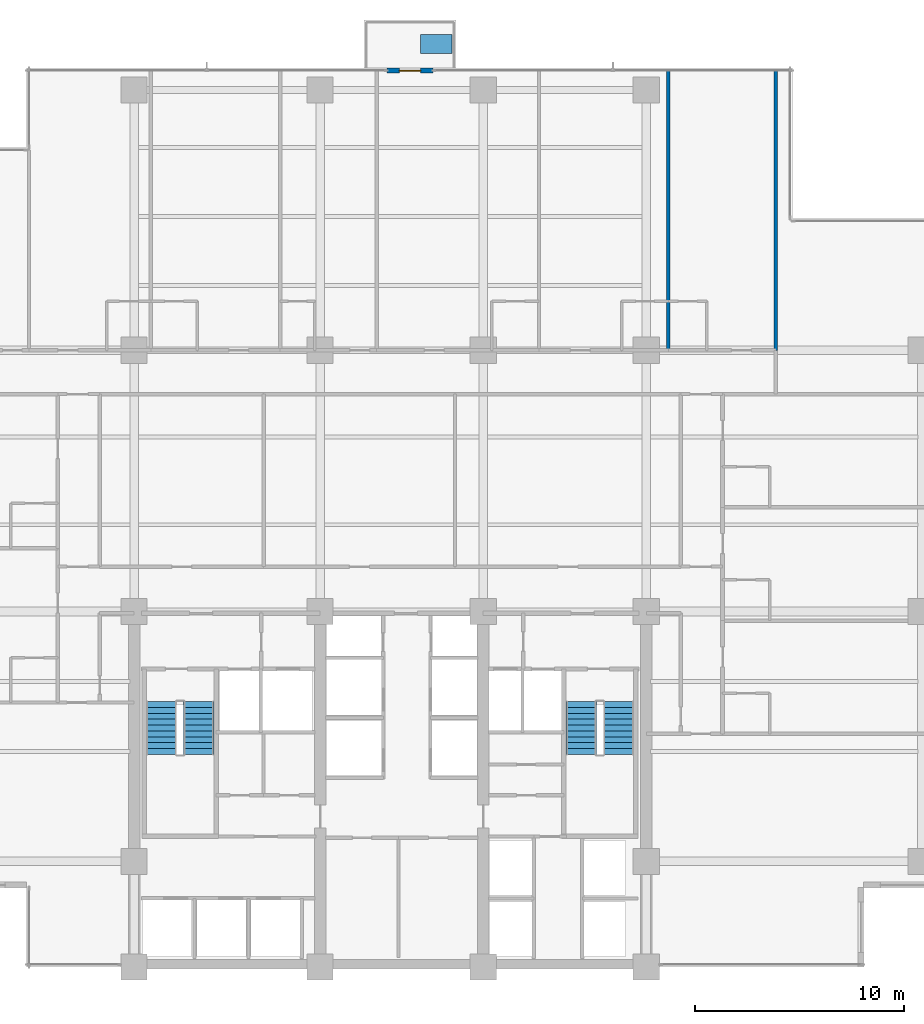
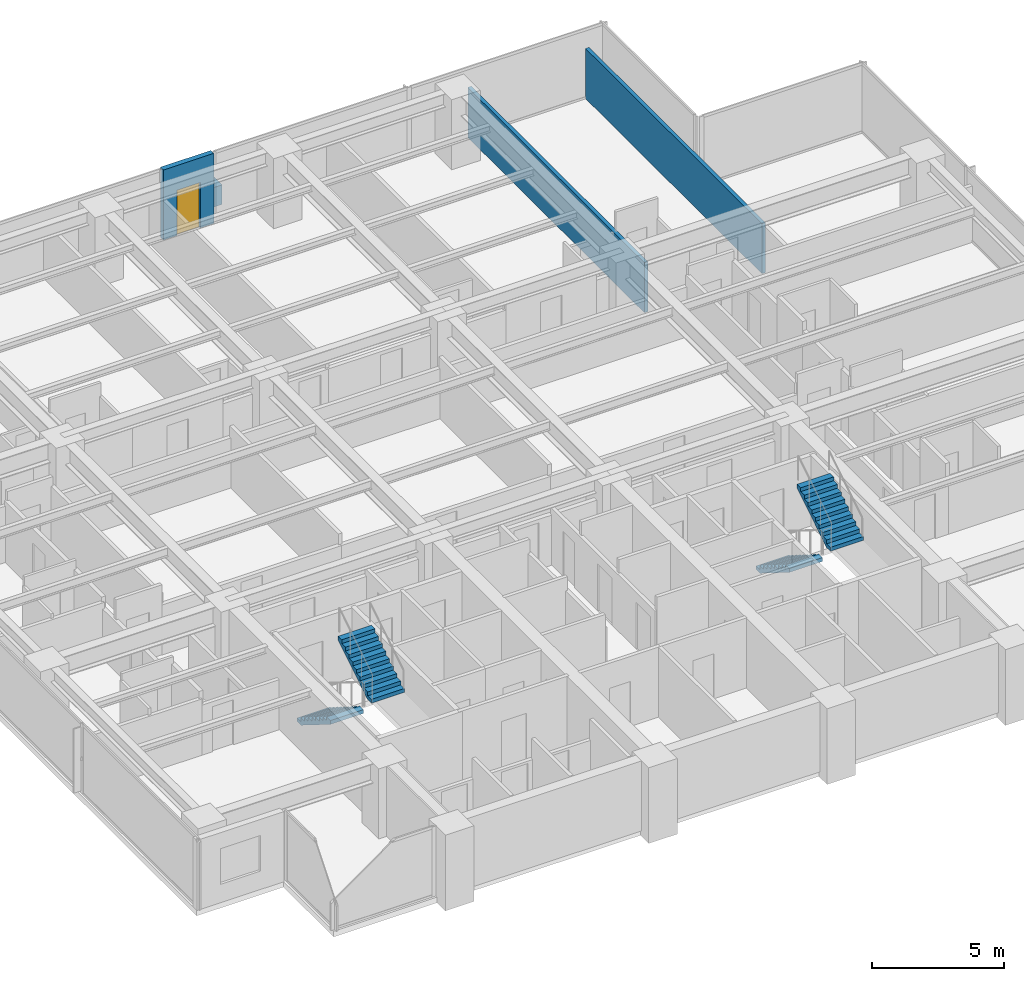
# One storey, part 12 of 17: 4 stair flights, 3 walls, 1 discrete accessory, 1 door, 1 opening, 2 elements without a shape of their own.
"""IFC4 building model written with IfcOpenShell, lengths in metres."""

from ifc_helpers import new_model, si_unit, direction, frame, frame_2d, origin, place, context, subcontext, project, spatial, polyline, rectangle, outline, extrude, material, layer, layer_set, type_object, element, fill, aggregate, save


model = new_model("IFC4")

# Units and contexts
model_context = context("Model", 3, precision=1e-05, world=origin(), true_north=direction((0.0, 1.0)))
body_context = subcontext(model_context, "Body", "Model", "MODEL_VIEW")
ifc_project = project(units=[si_unit("LENGTHUNIT", "METRE"), si_unit("AREAUNIT", "SQUARE_METRE"), si_unit("VOLUMEUNIT", "CUBIC_METRE"), si_unit("PLANEANGLEUNIT", "RADIAN"), si_unit("MASSUNIT", "GRAM", prefix="KILO")], contexts=[model_context])

# Site, building, storey
site_placement = place(None, origin())
site = spatial("IfcSite", under=ifc_project, at=site_placement, CompositionType="ELEMENT")
building_placement = place(site_placement, origin())
building = spatial("IfcBuilding", under=site, at=building_placement, Name="Qalmaran Belvedere Hotel", CompositionType="ELEMENT")
storey_placement = place(building_placement, frame((0.0, 0.0, 109.199951171875)))
storey = spatial("IfcBuildingStorey", under=building, at=storey_placement, Name="L27", CompositionType="ELEMENT", Elevation=109.199951171875)

# Wall, opening, door
ifc_material_1 = material(Name="Anodised Bronze Cladding")
ifc_layer_1 = layer(ifc_material_1, 0.22509765625, Name="Anodised Bronze Cladding")
ifc_layer_set_1 = layer_set([ifc_layer_1], Name="Anodised Bronze Cladding")
wall_type_1 = type_object("IfcWallType", Name="WL-BAL-PORT-225", PredefinedType="SOLIDWALL", material=ifc_layer_set_1)
wall_placement = place(storey_placement, frame((32.39990234375, 46.3798828125, 0.0), z_axis=(0.0, 0.0, 1.0), x_axis=(1.0, 0.0, 0.0)))
wall = element("IfcWall", 1, at=wall_placement, inside=storey, type_object=wall_type_1, Name="L27 Tree Balcony Door Portal", PredefinedType="SOLIDWALL", context=body_context, shape_type="SweptSolid", body=[
    extrude(rectangle(XDim=2.2001953125, YDim=0.22509765625, at=frame_2d((1.10009765625, 0.0))), origin(), (0.0, 0.0, 1.0), 3.239990234375),
])
opening_placement = place(wall_placement, frame((0.590087890625, 0.0, 0.0)))
opening = element("IfcOpeningElement", 2, at=opening_placement, cuts=wall, Name="Opening BL-102", PredefinedType="OPENING", context=body_context, shape_type="SweptSolid", body=[
    extrude(rectangle(XDim=1.02001953125, YDim=2.10009765625, at=frame_2d((0.510009765625, 1.050048828125))), frame((0.0, 0.12255859375, 0.0), z_axis=(0.0, -1.0, 0.0), x_axis=(1.0, 0.0, 0.0)), (0.0, 0.0, 1.0), 0.2451171875),
])
ifc_material_2 = material(Name="Anodised Bronze Aluminium", Category="aluminium")
door_type = type_object("IfcDoorType", Name="DR-BAL-1020X2100", OperationType="NOTDEFINED", PredefinedType="DOOR", material=ifc_material_2)
door_placement = place(opening_placement, origin())
door = element("IfcDoor", 3, at=door_placement, inside=storey, type_object=door_type, Name="L27 Planted Tree Balcony Door", OperationType="SINGLE_SWING_RIGHT", OverallHeight=2.10009765625, OverallWidth=1.02001953125, PredefinedType="DOOR", context=body_context, shape_type="SweptSolid", body=[
    extrude(rectangle(XDim=1.02001953125, YDim=2.10009765625, at=frame_2d((0.510009765625, 1.050048828125))), frame((0.0, 0.02490234375, 0.0), z_axis=(0.0, -1.0, 0.0), x_axis=(1.0, 0.0, 0.0)), (0.0, 0.0, 1.0), 0.050048828125),
])
fill(opening, door)

# Walls
ifc_material_3 = material(Name="Gypsum Stud Partition")
ifc_layer_2 = layer(ifc_material_3, 0.159912109375, Name="Gypsum Stud Partition")
ifc_layer_set_2 = layer_set([ifc_layer_2], Name="Gypsum Stud Partition")
wall_type_2 = type_object("IfcWallType", Name="WL-INT-160-EI60", PredefinedType="PARTITIONING", material=ifc_layer_set_2)
for number, where, z_axis, x_axis, name in (
    (4, (45.8544921875, 33.0, 0.0), (0.0, 0.0, 1.0), (0.0, 1.0, 0.0), "L27 Partition WL-L27-NUR04"),
    (5, (51.0, 33.0, 0.0), (0.0, 0.0, 1.0), (0.0, 1.0, 0.0), "L27 Partition WL-L27-NUR05"),
):
    element("IfcWall", number, at=place(storey_placement, frame(where, z_axis=z_axis, x_axis=x_axis)), inside=storey, type_object=wall_type_2, Name=name, PredefinedType="PARTITIONING", context=body_context, shape_type="SweptSolid", body=[
        extrude(rectangle(XDim=13.3798828125, YDim=0.159912109375, at=frame_2d((6.68994140625, 0.0))), origin(), (0.0, 0.0, 1.0), 2.31298828125),
    ])

# Stair, stair flights
ifc_material_4 = material(Name="Concrete C40/50", Category="concrete")
stair_type_1 = type_object("IfcStairType", Name="STR-ST-1-1450-R1750", PredefinedType="HALF_TURN_STAIR", material=ifc_material_4)
stair_1_placement = place(storey_placement, origin())
stair_1 = element("IfcStair", 6, at=stair_1_placement, inside=storey, type_object=stair_type_1, Name="L27 West Core Exit Stair ST-1", PredefinedType="HALF_TURN_STAIR")
ifc_layer_3 = layer(ifc_material_4, 0.14990234375, Name="Concrete C40/50")
ifc_layer_set_3 = layer_set([ifc_layer_3], Name="Concrete C40/50")
stair_flight_type_1 = type_object("IfcStairFlightType", Name="STF-ST-1-1450-R1750", PredefinedType="STRAIGHT", material=ifc_layer_set_3)
stair_flight_1_placement = place(storey_placement, frame((21.60498046875, 16.18994140625, 0.0), z_axis=(0.0, 0.0, 1.0), x_axis=(0.0, -1.0, 0.0)))
stair_flight_1 = element("IfcStairFlight", 7, at=stair_flight_1_placement, type_object=stair_flight_type_1, Name="ST-1 flight 1", NumberOfRisers=10, NumberOfTreads=9, PredefinedType="STRAIGHT", RiserHeight=0.175, TreadLength=0.28, context=body_context, shape_type="SweptSolid", body=[
    extrude(outline(polyline([(0.0, 0.0), (0.0, 0.175048828125), (0.280029296875, 0.175048828125), (0.280029296875, 0.35009765625), (0.56005859375, 0.35009765625), (0.56005859375, 0.52490234375), (0.840087890625, 0.52490234375), (0.840087890625, 0.699951171875), (1.1201171875, 0.699951171875), (1.1201171875, 0.875), (1.39990234375, 0.875), (1.39990234375, 1.050048828125), (1.679931640625, 1.050048828125), (1.679931640625, 1.22509765625), (1.9599609375, 1.22509765625), (1.9599609375, 1.39990234375), (2.239990234375, 1.39990234375), (2.239990234375, 1.574951171875), (2.52001953125, 1.574951171875), (2.52001953125, 1.75), (2.52001953125, 1.398193359375), (0.28271484375, 0.0), (0.0, 0.0)])), frame((0.0, 0.72509765625, 0.0), z_axis=(0.0, -1.0, 0.0), x_axis=(1.0, 0.0, 0.0)), (0.0, 0.0, 1.0), 1.449951171875),
])
stair_flight_2_placement = place(storey_placement, frame((23.39501953125, 13.669921875, 1.75), z_axis=(0.0, 0.0, 1.0), x_axis=(0.0, 1.0, 0.0)))
stair_flight_2 = element("IfcStairFlight", 8, at=stair_flight_2_placement, type_object=stair_flight_type_1, Name="ST-1 flight 2", NumberOfRisers=10, NumberOfTreads=9, PredefinedType="STRAIGHT", RiserHeight=0.175, TreadLength=0.28, context=body_context, shape_type="SweptSolid", body=[
    extrude(outline(polyline([(0.0, 0.0), (0.0, 0.175048828125), (0.280029296875, 0.175048828125), (0.280029296875, 0.35009765625), (0.56005859375, 0.35009765625), (0.56005859375, 0.52490234375), (0.840087890625, 0.52490234375), (0.840087890625, 0.699951171875), (1.1201171875, 0.699951171875), (1.1201171875, 0.875), (1.39990234375, 0.875), (1.39990234375, 1.050048828125), (1.679931640625, 1.050048828125), (1.679931640625, 1.22509765625), (1.9599609375, 1.22509765625), (1.9599609375, 1.39990234375), (2.239990234375, 1.39990234375), (2.239990234375, 1.574951171875), (2.52001953125, 1.574951171875), (2.52001953125, 1.75), (2.52001953125, 1.398193359375), (0.28271484375, 0.0), (0.0, 0.0)])), frame((0.0, 0.72509765625, 0.0), z_axis=(0.0, -1.0, 0.0), x_axis=(1.0, 0.0, 0.0)), (0.0, 0.0, 1.0), 1.449951171875),
])
aggregate(stair_1, [stair_flight_1, stair_flight_2])

stair_type_2 = type_object("IfcStairType", Name="STR-ST-2-1450-R1750", PredefinedType="HALF_TURN_STAIR", material=ifc_material_4)
stair_2_placement = place(storey_placement, origin())
stair_2 = element("IfcStair", 9, at=stair_2_placement, inside=storey, type_object=stair_type_2, Name="L27 East Core Exit Stair ST-2", PredefinedType="HALF_TURN_STAIR")
ifc_layer_4 = layer(ifc_material_4, 0.14990234375, Name="Concrete C40/50")
ifc_layer_set_4 = layer_set([ifc_layer_4], Name="Concrete C40/50")
stair_flight_type_2 = type_object("IfcStairFlightType", Name="STF-ST-2-1450-R1750", PredefinedType="STRAIGHT", material=ifc_layer_set_4)
stair_flight_3_placement = place(storey_placement, frame((41.68505859375, 16.18994140625, 0.0), z_axis=(0.0, 0.0, 1.0), x_axis=(0.0, -1.0, 0.0)))
stair_flight_3 = element("IfcStairFlight", 10, at=stair_flight_3_placement, type_object=stair_flight_type_2, Name="ST-2 flight 1", NumberOfRisers=10, NumberOfTreads=9, PredefinedType="STRAIGHT", RiserHeight=0.175, TreadLength=0.28, context=body_context, shape_type="SweptSolid", body=[
    extrude(outline(polyline([(0.0, 0.0), (0.0, 0.175048828125), (0.280029296875, 0.175048828125), (0.280029296875, 0.35009765625), (0.56005859375, 0.35009765625), (0.56005859375, 0.52490234375), (0.840087890625, 0.52490234375), (0.840087890625, 0.699951171875), (1.1201171875, 0.699951171875), (1.1201171875, 0.875), (1.39990234375, 0.875), (1.39990234375, 1.050048828125), (1.679931640625, 1.050048828125), (1.679931640625, 1.22509765625), (1.9599609375, 1.22509765625), (1.9599609375, 1.39990234375), (2.239990234375, 1.39990234375), (2.239990234375, 1.574951171875), (2.52001953125, 1.574951171875), (2.52001953125, 1.75), (2.52001953125, 1.398193359375), (0.28271484375, 0.0), (0.0, 0.0)])), frame((0.0, 0.72509765625, 0.0), z_axis=(0.0, -1.0, 0.0), x_axis=(1.0, 0.0, 0.0)), (0.0, 0.0, 1.0), 1.449951171875),
])
stair_flight_4_placement = place(storey_placement, frame((43.47509765625, 13.669921875, 1.75), z_axis=(0.0, 0.0, 1.0), x_axis=(0.0, 1.0, 0.0)))
stair_flight_4 = element("IfcStairFlight", 11, at=stair_flight_4_placement, type_object=stair_flight_type_2, Name="ST-2 flight 2", NumberOfRisers=10, NumberOfTreads=9, PredefinedType="STRAIGHT", RiserHeight=0.175, TreadLength=0.28, context=body_context, shape_type="SweptSolid", body=[
    extrude(outline(polyline([(0.0, 0.0), (0.0, 0.175048828125), (0.280029296875, 0.175048828125), (0.280029296875, 0.35009765625), (0.56005859375, 0.35009765625), (0.56005859375, 0.52490234375), (0.840087890625, 0.52490234375), (0.840087890625, 0.699951171875), (1.1201171875, 0.699951171875), (1.1201171875, 0.875), (1.39990234375, 0.875), (1.39990234375, 1.050048828125), (1.679931640625, 1.050048828125), (1.679931640625, 1.22509765625), (1.9599609375, 1.22509765625), (1.9599609375, 1.39990234375), (2.239990234375, 1.39990234375), (2.239990234375, 1.574951171875), (2.52001953125, 1.574951171875), (2.52001953125, 1.75), (2.52001953125, 1.398193359375), (0.28271484375, 0.0), (0.0, 0.0)])), frame((0.0, 0.72509765625, 0.0), z_axis=(0.0, -1.0, 0.0), x_axis=(1.0, 0.0, 0.0)), (0.0, 0.0, 1.0), 1.449951171875),
])
aggregate(stair_2, [stair_flight_3, stair_flight_4])

# Discrete accessory
discrete_accessory_type = type_object("IfcDiscreteAccessoryType", Name="PLN-BAL-1500", PredefinedType="USERDEFINED", material=ifc_material_4)
discrete_accessory_placement = place(storey_placement, origin())
element("IfcDiscreteAccessory", 12, at=discrete_accessory_placement, inside=storey, type_object=discrete_accessory_type, Name="L27 Sky Tree Planter", ObjectType="PLANTER", PredefinedType="USERDEFINED", context=body_context, shape_type="SweptSolid", body=[
    extrude(outline(polyline([(34.0, 47.199951171875), (35.5, 47.199951171875), (35.5, 48.10009765625), (34.0, 48.10009765625), (34.0, 47.199951171875)])), origin(), (0.0, 0.0, 1.0), 0.900146484375),
])

save(model, "model.ifc")
